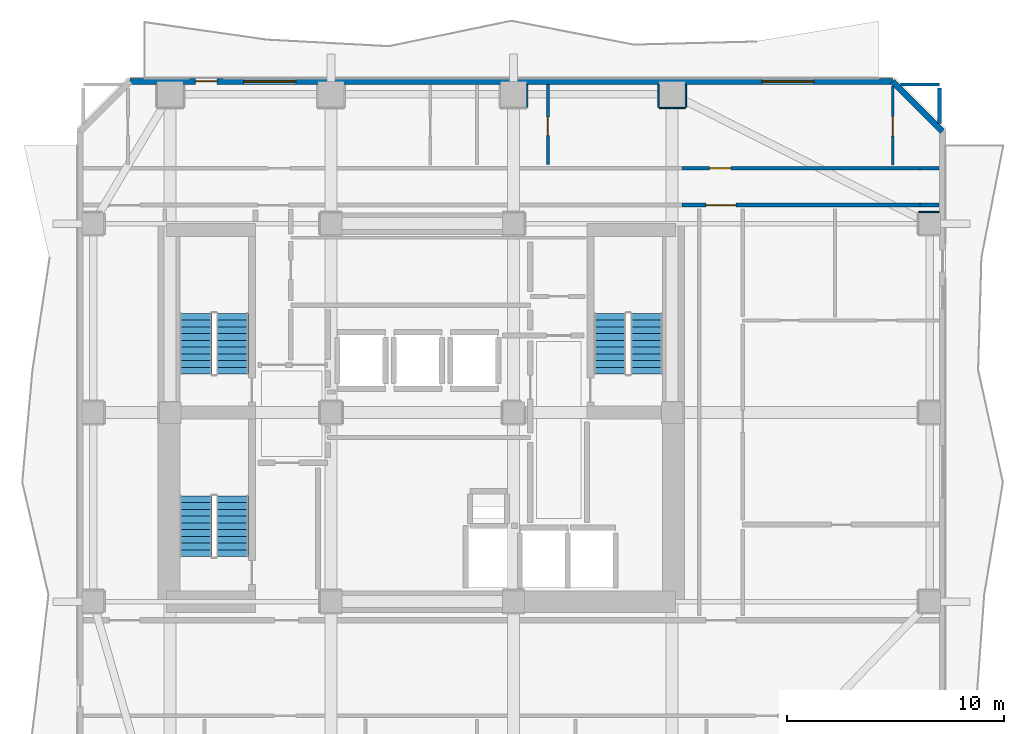
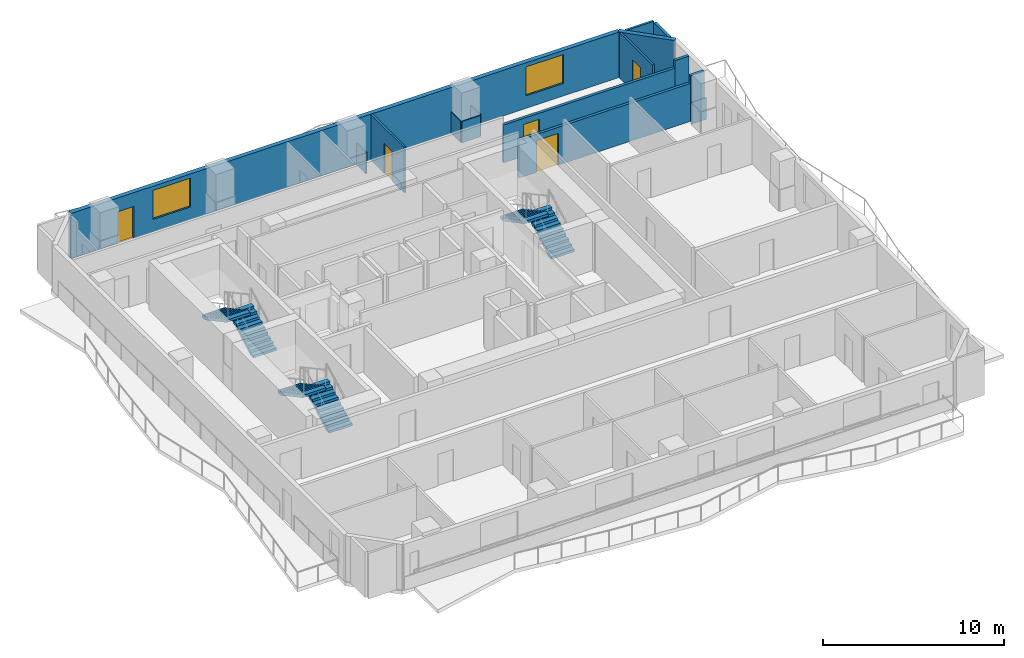
# One storey, part 6 of 9: 15 walls, 6 stair flights, 5 doors, 2 windows, 7 openings, 3 elements without a shape of their own.
"""IFC4 building model written with IfcOpenShell, lengths in metres."""

from ifc_helpers import new_model, si_unit, direction, frame, frame_2d, origin, place, context, subcontext, project, spatial, polyline, rectangle, outline, extrude, material, layer, layer_set, type_object, element, fill, aggregate, save


model = new_model("IFC4")

# Units and contexts
model_context = context("Model", 3, precision=1e-05, world=origin(), true_north=direction((0.0, 1.0)))
body_context = subcontext(model_context, "Body", "Model", "MODEL_VIEW")
ifc_project = project(units=[si_unit("LENGTHUNIT", "METRE"), si_unit("AREAUNIT", "SQUARE_METRE"), si_unit("VOLUMEUNIT", "CUBIC_METRE"), si_unit("PLANEANGLEUNIT", "RADIAN"), si_unit("MASSUNIT", "GRAM", prefix="KILO")], contexts=[model_context])

# Site, building, storey
site_placement = place(None, origin())
site = spatial("IfcSite", under=ifc_project, at=site_placement, CompositionType="ELEMENT")
building_placement = place(site_placement, origin())
building = spatial("IfcBuilding", under=site, at=building_placement, Name="Solanera Arch Residences", CompositionType="ELEMENT")
storey_placement = place(building_placement, frame((0.0, 0.0, 135.9599609375)))
storey = spatial("IfcBuildingStorey", under=building, at=storey_placement, Name="L39", CompositionType="ELEMENT", Elevation=135.9599609375)

# Walls
ifc_material_1 = material(Name="Fire-Rated Gypsum Stud Partition", Category="gypsum")
ifc_layer_1 = layer(ifc_material_1, 0.06005859375)
ifc_layer_set_1 = layer_set([ifc_layer_1], Name="Fire-Rated Gypsum Stud Partition")
wall_type_1 = type_object("IfcWallType", Name="Column Acoustic Furring Wall 60", PredefinedType="PARTITIONING", material=ifc_layer_set_1)
wall_1_placement = place(storey_placement, frame((29.83203125, 44.75, 0.0), z_axis=(0.0, 0.0, 1.0), x_axis=(0.0, 1.0, 0.0)))
element("IfcWall", 1, at=wall_1_placement, inside=storey, type_object=wall_type_1, Name="L39 Column Furring 14E", PredefinedType="PARTITIONING", context=body_context, shape_type="SweptSolid", body=[
    extrude(rectangle(XDim=1.0400390625, YDim=0.06005859375, at=frame_2d((0.52001953125, 0.0))), origin(), (0.0, 0.0, 1.0), 1.449951171875),
])
wall_2_placement = place(storey_placement, frame((35.89990234375, 44.718017578125, 0.0), z_axis=(0.0, 0.0, 1.0), x_axis=(1.0, 0.0, 0.0)))
element("IfcWall", 2, at=wall_2_placement, inside=storey, type_object=wall_type_1, Name="L39 Column Furring 16S", PredefinedType="PARTITIONING", context=body_context, shape_type="SweptSolid", body=[
    extrude(rectangle(XDim=1.2001953125, YDim=0.06005859375, at=frame_2d((0.60009765625, 0.0))), origin(), (0.0, 0.0, 1.0), 1.449951171875),
])
for number, where, z_axis, x_axis, name in (
    (3, (35.867919921875, 44.75, 0.0), (0.0, 0.0, 1.0), (0.0, 1.0, 0.0), "L39 Column Furring 16W"),
    (4, (37.132080078125, 44.75, 0.0), (0.0, 0.0, 1.0), (0.0, 1.0, 0.0), "L39 Column Furring 16E"),
):
    element("IfcWall", number, at=place(storey_placement, frame(where, z_axis=z_axis, x_axis=x_axis)), inside=storey, type_object=wall_type_1, Name=name, PredefinedType="PARTITIONING", context=body_context, shape_type="SweptSolid", body=[
        extrude(rectangle(XDim=1.0400390625, YDim=0.06005859375, at=frame_2d((0.52001953125, 0.0))), origin(), (0.0, 0.0, 1.0), 1.449951171875),
    ])
wall_3_placement = place(storey_placement, frame((47.85009765625, 39.931884765625, 0.0), z_axis=(0.0, 0.0, 1.0), x_axis=(1.0, 0.0, 0.0)))
element("IfcWall", 5, at=wall_3_placement, inside=storey, type_object=wall_type_1, Name="L39 Column Furring 22N", PredefinedType="PARTITIONING", context=body_context, shape_type="SweptSolid", body=[
    extrude(rectangle(XDim=0.93994140625, YDim=0.06005859375, at=frame_2d((0.469970703125, 0.0))), origin(), (0.0, 0.0, 1.0), 1.449951171875),
])

# Wall, opening, door
ifc_material_2 = material(Name="Autoclaved Aerated Concrete Blockwork", Category="masonry")
ifc_layer_2 = layer(ifc_material_2, 0.179931640625)
ifc_layer_set_2 = layer_set([ifc_layer_2], Name="Autoclaved Aerated Concrete Blockwork")
wall_type_2 = type_object("IfcWallType", Name="Corridor Fire Partition 180", PredefinedType="PARTITIONING", material=ifc_layer_set_2)
wall_4_placement = place(storey_placement, frame((36.943115234375, 40.25, 0.0), z_axis=(0.0, 0.0, 1.0), x_axis=(1.0, 0.0, 0.0)))
wall_4 = element("IfcWall", 6, at=wall_4_placement, inside=storey, type_object=wall_type_2, Name="L39 Interior Partition H12 2", PredefinedType="PARTITIONING", context=body_context, shape_type="SweptSolid", body=[
    extrude(rectangle(XDim=10.9638671875, YDim=0.179931640625, at=frame_2d((5.48193359375, 0.0))), origin(), (0.0, 0.0, 1.0), 2.56494140625),
])
opening_1_placement = place(wall_4_placement, frame((1.10693359375, 0.0, 0.0)))
opening_1 = element("IfcOpeningElement", 7, at=opening_1_placement, cuts=wall_4, Name="Opening DF-03", PredefinedType="OPENING", context=body_context, shape_type="SweptSolid", body=[
    extrude(rectangle(XDim=1.39990234375, YDim=2.14990234375, at=frame_2d((0.699951171875, 1.074951171875))), frame((0.0, 0.10009765625, 0.0), z_axis=(0.0, -1.0, 0.0), x_axis=(1.0, 0.0, 0.0)), (0.0, 0.0, 1.0), 0.1999),
])
ifc_material_3 = material(Name="Fire-Rated Architectural Hardwood", Category="wood")
door_type_1 = type_object("IfcDoorType", Name="Corridor Smoke Door DF-03", OperationType="NOTDEFINED", PredefinedType="DOOR", material=ifc_material_3)
door_1_placement = place(opening_1_placement, origin())
door_1 = element("IfcDoor", 8, at=door_1_placement, inside=storey, type_object=door_type_1, Name="DR-L39-IN-013", OperationType="SINGLE_SWING_RIGHT", OverallHeight=2.14990234375, OverallWidth=1.39990234375, PredefinedType="DOOR", context=body_context, shape_type="SweptSolid", body=[
    extrude(rectangle(XDim=1.39990234375, YDim=2.14990234375, at=frame_2d((0.699951171875, 1.074951171875))), frame((0.0, 0.02490234375, 0.0), z_axis=(0.0, -1.0, 0.0), x_axis=(1.0, 0.0, 0.0)), (0.0, 0.0, 1.0), 0.050048828125),
])
fill(opening_1, door_1)

# Wall
wall_5_placement = place(storey_placement, frame((47.906982421875, 40.25, 0.0), z_axis=(0.0, 0.0, 1.0), x_axis=(1.0, 0.0, 0.0)))
element("IfcWall", 9, at=wall_5_placement, inside=storey, type_object=wall_type_2, Name="L39 Interior Partition H12 3", PredefinedType="PARTITIONING", context=body_context, shape_type="SweptSolid", body=[
    extrude(rectangle(XDim=0.885986328125, YDim=0.179931640625, at=frame_2d((0.44287109375, 0.0))), origin(), (0.0, 0.0, 1.0), 3.080078125),
])

# Wall, opening, door
wall_6_placement = place(storey_placement, frame((36.943115234375, 41.949951171875, 0.0), z_axis=(0.0, 0.0, 1.0), x_axis=(1.0, 0.0, 0.0)))
wall_6 = element("IfcWall", 10, at=wall_6_placement, inside=storey, type_object=wall_type_2, Name="L39 Interior Partition H13 2", PredefinedType="PARTITIONING", context=body_context, shape_type="SweptSolid", body=[
    extrude(rectangle(XDim=10.9638671875, YDim=0.179931640625, at=frame_2d((5.48193359375, 0.0))), origin(), (0.0, 0.0, 1.0), 2.56494140625),
])
opening_2_placement = place(wall_6_placement, frame((1.27197265625, 0.0, 0.0)))
opening_2 = element("IfcOpeningElement", 11, at=opening_2_placement, cuts=wall_6, Name="Opening DI-01", PredefinedType="OPENING", context=body_context, shape_type="SweptSolid", body=[
    extrude(rectangle(XDim=1.0, YDim=2.14990234375, at=frame_2d((0.5, 1.074951171875))), frame((0.0, 0.10009765625, 0.0), z_axis=(0.0, -1.0, 0.0), x_axis=(1.0, 0.0, 0.0)), (0.0, 0.0, 1.0), 0.1999),
])
ifc_material_4 = material(Name="Fire-Rated Architectural Hardwood", Category="wood")
door_type_2 = type_object("IfcDoorType", Name="Unit Entrance Fire Door DI-01", OperationType="NOTDEFINED", PredefinedType="DOOR", material=ifc_material_4)
door_2_placement = place(opening_2_placement, origin())
door_2 = element("IfcDoor", 12, at=door_2_placement, inside=storey, type_object=door_type_2, Name="DR-L39-IN-032", OperationType="SINGLE_SWING_LEFT", OverallHeight=2.14990234375, OverallWidth=1.0, PredefinedType="DOOR", context=body_context, shape_type="SweptSolid", body=[
    extrude(rectangle(XDim=1.0, YDim=2.14990234375, at=frame_2d((0.5, 1.074951171875))), frame((0.0, 0.02490234375, 0.0), z_axis=(0.0, -1.0, 0.0), x_axis=(1.0, 0.0, 0.0)), (0.0, 0.0, 1.0), 0.050048828125),
])
fill(opening_2, door_2)

# Walls
wall_7_placement = place(storey_placement, frame((47.906982421875, 41.949951171875, 0.0), z_axis=(0.0, 0.0, 1.0), x_axis=(1.0, 0.0, 0.0)))
element("IfcWall", 13, at=wall_7_placement, inside=storey, type_object=wall_type_2, Name="L39 Interior Partition H13 3", PredefinedType="PARTITIONING", context=body_context, shape_type="SweptSolid", body=[
    extrude(rectangle(XDim=0.885986328125, YDim=0.179931640625, at=frame_2d((0.44287109375, 0.0))), origin(), (0.0, 0.0, 1.0), 3.080078125),
])
wall_8_placement = place(storey_placement, frame((48.800048828125, 44.0048828125, 0.0), z_axis=(0.0, 0.0, 1.0), x_axis=(0.0, 1.0, 0.0)))
element("IfcWall", 14, at=wall_8_placement, inside=storey, type_object=wall_type_2, Name="L39 Interior Partition V12 2", PredefinedType="PARTITIONING", context=body_context, shape_type="SweptSolid", body=[
    extrude(rectangle(XDim=1.627197265625, YDim=0.179931640625, at=frame_2d((0.8134765625, 0.0))), origin(), (0.0, 0.0, 1.0), 3.080078125),
])

# Wall, openings, door, windows
ifc_material_5 = material(Name="Precast Concrete C35/45", Category="concrete")
ifc_layer_3 = layer(ifc_material_5, 0.280029296875)
ifc_layer_set_3 = layer_set([ifc_layer_3], Name="Precast Concrete C35/45")
wall_type_3 = type_object("IfcWallType", Name="Exterior Wall Precast Masonry-Frame 280", PredefinedType="STANDARD", material=ifc_layer_set_3)
wall_9_placement = place(storey_placement, frame((11.554931640625, 45.945068359375, 0.0), z_axis=(0.0, 0.0, 1.0), x_axis=(1.0, 0.0, 0.0)))
wall_9 = element("IfcWall", 15, at=wall_9_placement, inside=storey, type_object=wall_type_3, Name="L39 Tower Exterior Precast Masonry-Frame Wall N", PredefinedType="STANDARD", context=body_context, shape_type="SweptSolid", body=[
    extrude(rectangle(XDim=35.090087890625, YDim=0.280029296875, at=frame_2d((17.544921875, 0.0))), origin(), (0.0, 0.0, 1.0), 3.080078125),
])
opening_3_placement = place(wall_9_placement, frame((3.009033203125, 0.0, 0.0)))
opening_3 = element("IfcOpeningElement", 16, at=opening_3_placement, cuts=wall_9, Name="Opening DB-01", PredefinedType="OPENING", context=body_context, shape_type="SweptSolid", body=[
    extrude(rectangle(XDim=1.0, YDim=2.14990234375, at=frame_2d((0.5, 1.074951171875))), frame((0.0, 0.14990234375, 0.0), z_axis=(0.0, -1.0, 0.0), x_axis=(1.0, 0.0, 0.0)), (0.0, 0.0, 1.0), 0.3),
])
opening_4_placement = place(wall_9_placement, frame((5.22705078125, 0.0, 0.85009765625)))
opening_4 = element("IfcOpeningElement", 17, at=opening_4_placement, cuts=wall_9, Name="Opening W-05", PredefinedType="OPENING", context=body_context, shape_type="SweptSolid", body=[
    extrude(rectangle(XDim=2.39990234375, YDim=1.949951171875, at=frame_2d((1.199951171875, 0.97509765625))), frame((0.0, 0.14990234375, 0.0), z_axis=(0.0, -1.0, 0.0), x_axis=(1.0, 0.0, 0.0)), (0.0, 0.0, 1.0), 0.3),
])
opening_5_placement = place(wall_9_placement, frame((29.072998046875, 0.0, 0.85009765625)))
opening_5 = element("IfcOpeningElement", 18, at=opening_5_placement, cuts=wall_9, Name="Opening W-05", PredefinedType="OPENING", context=body_context, shape_type="SweptSolid", body=[
    extrude(rectangle(XDim=2.39990234375, YDim=1.949951171875, at=frame_2d((1.199951171875, 0.97509765625))), frame((0.0, 0.14990234375, 0.0), z_axis=(0.0, -1.0, 0.0), x_axis=(1.0, 0.0, 0.0)), (0.0, 0.0, 1.0), 0.3),
])
ifc_material_6 = material(Name="Anodised Aluminium Alloy 6063-T6", Category="aluminium")
door_type_3 = type_object("IfcDoorType", Name="Glazed Balcony Swing Door DB-01", OperationType="NOTDEFINED", PredefinedType="DOOR", material=ifc_material_6)
door_3_placement = place(opening_3_placement, origin())
door_3 = element("IfcDoor", 19, at=door_3_placement, inside=storey, type_object=door_type_3, Name="DR-L39-OUT-02", OperationType="SINGLE_SWING_RIGHT", OverallHeight=2.14990234375, OverallWidth=1.0, PredefinedType="DOOR", context=body_context, shape_type="SweptSolid", body=[
    extrude(rectangle(XDim=1.0, YDim=2.14990234375, at=frame_2d((0.5, 1.074951171875))), frame((0.0, 0.02490234375, 0.0), z_axis=(0.0, -1.0, 0.0), x_axis=(1.0, 0.0, 0.0)), (0.0, 0.0, 1.0), 0.050048828125),
])
fill(opening_3, door_3)
ifc_material_7 = material(Name="Double Glazed Low-E Laminated Glass", Category="glass")
window_type = type_object("IfcWindowType", Name="Punched Window W-05", PartitioningType="TRIPLE_PANEL_VERTICAL", PredefinedType="WINDOW", material=ifc_material_7)
window_1_placement = place(opening_4_placement, origin())
window_1 = element("IfcWindow", 20, at=window_1_placement, inside=storey, type_object=window_type, Name="L39 3903-LIV Punched Window", OverallHeight=1.949951171875, OverallWidth=2.39990234375, PartitioningType="SINGLE_PANEL", PredefinedType="WINDOW", context=body_context, shape_type="SweptSolid", body=[
    extrude(rectangle(XDim=2.39990234375, YDim=1.949951171875, at=frame_2d((1.199951171875, 0.97509765625))), frame((0.0, 0.030029296875, 0.0), z_axis=(0.0, -1.0, 0.0), x_axis=(1.0, 0.0, 0.0)), (0.0, 0.0, 1.0), 0.06005859375),
])
fill(opening_4, window_1)
window_2_placement = place(opening_5_placement, origin())
window_2 = element("IfcWindow", 21, at=window_2_placement, inside=storey, type_object=window_type, Name="L39 3904-LIV Punched Window", OverallHeight=1.949951171875, OverallWidth=2.39990234375, PartitioningType="SINGLE_PANEL", PredefinedType="WINDOW", context=body_context, shape_type="SweptSolid", body=[
    extrude(rectangle(XDim=2.39990234375, YDim=1.949951171875, at=frame_2d((1.199951171875, 0.97509765625))), frame((0.0, 0.030029296875, 0.0), z_axis=(0.0, -1.0, 0.0), x_axis=(1.0, 0.0, 0.0)), (0.0, 0.0, 1.0), 0.06005859375),
])
fill(opening_5, window_2)

# Wall
wall_10_placement = place(storey_placement, frame((46.64501953125, 45.945068359375, 0.0), z_axis=(0.0, 0.0, 1.0), x_axis=(0.707106781187, -0.707106781187, 0.0)))
element("IfcWall", 22, at=wall_10_placement, inside=storey, type_object=wall_type_3, Name="L39 Tower Exterior Precast Masonry-Frame Wall CH3", PredefinedType="STANDARD", context=body_context, shape_type="SweptSolid", body=[
    extrude(rectangle(XDim=3.252685546875, YDim=0.280029296875, at=frame_2d((1.62646484375, 0.0))), origin(), (0.0, 0.0, 1.0), 3.080078125),
])

# Wall, opening, door
ifc_material_8 = material(Name="Fire-Rated Gypsum Stud Partition", Category="gypsum")
ifc_layer_4 = layer(ifc_material_8, 0.1201171875)
ifc_layer_set_4 = layer_set([ifc_layer_4], Name="Fire-Rated Gypsum Stud Partition")
wall_type_4 = type_object("IfcWallType", Name="Unit Drywall Partition 120", PredefinedType="PARTITIONING", material=ifc_layer_set_4)
wall_11_placement = place(storey_placement, frame((46.64990234375, 42.10791015625, 0.0), z_axis=(0.0, 0.0, 1.0), x_axis=(0.0, 1.0, 0.0)))
wall_11 = element("IfcWall", 23, at=wall_11_placement, inside=storey, type_object=wall_type_4, Name="L39 Interior Partition V24", PredefinedType="PARTITIONING", context=body_context, shape_type="SweptSolid", body=[
    extrude(rectangle(XDim=3.6171875, YDim=0.1201171875, at=frame_2d((1.80859375, 0.0))), origin(), (0.0, 0.0, 1.0), 3.080078125),
])
opening_6_placement = place(wall_11_placement, frame((1.31689453125, 0.0, 0.0)))
opening_6 = element("IfcOpeningElement", 24, at=opening_6_placement, cuts=wall_11, Name="Opening DI-02", PredefinedType="OPENING", context=body_context, shape_type="SweptSolid", body=[
    extrude(rectangle(XDim=0.89990234375, YDim=2.10009765625, at=frame_2d((0.449951171875, 1.050048828125))), frame((0.0, 0.070068359375, 0.0), z_axis=(0.0, -1.0, 0.0), x_axis=(1.0, 0.0, 0.0)), (0.0, 0.0, 1.0), 0.1401),
])
ifc_material_9 = material(Name="Fire-Rated Architectural Hardwood", Category="wood")
door_type_4 = type_object("IfcDoorType", Name="Suite Room Swing Door DI-02", OperationType="NOTDEFINED", PredefinedType="DOOR", material=ifc_material_9)
door_4_placement = place(opening_6_placement, origin())
door_4 = element("IfcDoor", 25, at=door_4_placement, inside=storey, type_object=door_type_4, Name="DR-L39-IN-034", OperationType="SINGLE_SWING_LEFT", OverallHeight=2.10009765625, OverallWidth=0.89990234375, PredefinedType="DOOR", context=body_context, shape_type="SweptSolid", body=[
    extrude(rectangle(XDim=0.89990234375, YDim=2.10009765625, at=frame_2d((0.449951171875, 1.050048828125))), frame((0.0, 0.02490234375, 0.0), z_axis=(0.0, -1.0, 0.0), x_axis=(1.0, 0.0, 0.0)), (0.0, 0.0, 1.0), 0.050048828125),
])
fill(opening_6, door_4)

# Wall
ifc_material_10 = material(Name="Autoclaved Aerated Concrete Blockwork", Category="masonry")
ifc_layer_5 = layer(ifc_material_10, 0.139892578125)
ifc_layer_set_5 = layer_set([ifc_layer_5], Name="Autoclaved Aerated Concrete Blockwork")
wall_type_5 = type_object("IfcWallType", Name="Wet-Room Partition 140", PredefinedType="PARTITIONING", material=ifc_layer_set_5)
wall_12_placement = place(storey_placement, frame((47.0048828125, 45.800048828125, 0.0), z_axis=(0.0, 0.0, 1.0), x_axis=(1.0, 0.0, 0.0)))
element("IfcWall", 26, at=wall_12_placement, inside=storey, type_object=wall_type_5, Name="L39 Interior Partition H18 2", PredefinedType="PARTITIONING", context=body_context, shape_type="SweptSolid", body=[
    extrude(rectangle(XDim=1.795166015625, YDim=0.139892578125, at=frame_2d((0.8974609375, 0.0))), origin(), (0.0, 0.0, 1.0), 3.080078125),
])

# Wall, opening, door
wall_13_placement = place(storey_placement, frame((30.780029296875, 42.117919921875, 0.0), z_axis=(0.0, 0.0, 1.0), x_axis=(0.0, 1.0, 0.0)))
wall_13 = element("IfcWall", 27, at=wall_13_placement, inside=storey, type_object=wall_type_5, Name="L39 Interior Partition V17", PredefinedType="PARTITIONING", context=body_context, shape_type="SweptSolid", body=[
    extrude(rectangle(XDim=3.675048828125, YDim=0.139892578125, at=frame_2d((1.83740234375, 0.0))), origin(), (0.0, 0.0, 1.0), 3.080078125),
])
opening_7_placement = place(wall_13_placement, frame((1.326904296875, 0.0, 0.0)))
opening_7 = element("IfcOpeningElement", 28, at=opening_7_placement, cuts=wall_13, Name="Opening DI-05", PredefinedType="OPENING", context=body_context, shape_type="SweptSolid", body=[
    extrude(rectangle(XDim=0.860107421875, YDim=2.02001953125, at=frame_2d((0.43017578125, 1.010009765625))), frame((0.0, 0.079833984375, 0.0), z_axis=(0.0, -1.0, 0.0), x_axis=(1.0, 0.0, 0.0)), (0.0, 0.0, 1.0), 0.1599),
])
ifc_material_11 = material(Name="Fire-Rated Architectural Hardwood", Category="wood")
door_type_5 = type_object("IfcDoorType", Name="Bathroom Swing Door DI-05", OperationType="NOTDEFINED", PredefinedType="DOOR", material=ifc_material_11)
door_5_placement = place(opening_7_placement, origin())
door_5 = element("IfcDoor", 29, at=door_5_placement, inside=storey, type_object=door_type_5, Name="DR-L39-IN-033", OperationType="SINGLE_SWING_RIGHT", OverallHeight=2.02001953125, OverallWidth=0.860107421875, PredefinedType="DOOR", context=body_context, shape_type="SweptSolid", body=[
    extrude(rectangle(XDim=0.860107421875, YDim=2.02001953125, at=frame_2d((0.43017578125, 1.010009765625))), frame((0.0, 0.02490234375, 0.0), z_axis=(0.0, -1.0, 0.0), x_axis=(1.0, 0.0, 0.0)), (0.0, 0.0, 1.0), 0.050048828125),
])
fill(opening_7, door_5)

# Stair, stair flights
ifc_material_12 = material(Name="Concrete C40/50 (f'c = 45 MPa)", Category="concrete")
stair_type = type_object("IfcStairType", Name="Tower Dogleg Exit Stair 1480", PredefinedType="HALF_TURN_STAIR", material=ifc_material_12)
stair_1_placement = place(storey_placement, origin())
stair_1 = element("IfcStair", 30, at=stair_1_placement, inside=storey, type_object=stair_type, Name="L39 Tower Core Exit Stair 1", PredefinedType="HALF_TURN_STAIR")
ifc_material_13 = material(Name="Concrete C40/50 (f'c = 45 MPa)", Category="concrete")
stair_flight_type = type_object("IfcStairFlightType", Name="Tower Precast Stair Flight 1480", PredefinedType="STRAIGHT", material=ifc_material_13)
stair_flight_1_placement = place(storey_placement, frame((16.260009765625, 32.47998046875, 0.0), z_axis=(0.0, 0.0, 1.0), x_axis=(0.0, 1.0, 0.0)))
stair_flight_1 = element("IfcStairFlight", 31, at=stair_flight_1_placement, type_object=stair_flight_type, Name="ST-T1 flight 1", NumberOfRisers=10, NumberOfTreads=9, PredefinedType="STRAIGHT", RiserHeight=0.166, TreadLength=0.31, context=body_context, shape_type="SweptSolid", body=[
    extrude(outline(polyline([(0.0, 0.0), (0.0, 0.166015625), (0.31005859375, 0.166015625), (0.31005859375, 0.33203125), (0.6201171875, 0.33203125), (0.6201171875, 0.498046875), (0.929931640625, 0.498046875), (0.929931640625, 0.6640625), (1.239990234375, 0.6640625), (1.239990234375, 0.830078125), (1.550048828125, 0.830078125), (1.550048828125, 0.99609375), (1.860107421875, 0.99609375), (1.860107421875, 1.162109375), (2.169921875, 1.162109375), (2.169921875, 1.327880859375), (2.47998046875, 1.327880859375), (2.47998046875, 1.493896484375), (2.7900390625, 1.493896484375), (2.7900390625, 1.659912109375), (2.7900390625, 1.323974609375), (0.317626953125, 0.0), (0.0, 0.0)])), frame((0.0, 0.739990234375, 0.0), z_axis=(0.0, -1.0, 0.0), x_axis=(1.0, 0.0, 0.0)), (0.0, 0.0, 1.0), 1.47998046875),
])
stair_flight_2_placement = place(storey_placement, frame((14.580078125, 35.27001953125, 1.66015625), z_axis=(0.0, 0.0, 1.0), x_axis=(0.0, -1.0, 0.0)))
stair_flight_2 = element("IfcStairFlight", 32, at=stair_flight_2_placement, type_object=stair_flight_type, Name="ST-T1 flight 2", NumberOfRisers=10, NumberOfTreads=9, PredefinedType="STRAIGHT", RiserHeight=0.166, TreadLength=0.31, context=body_context, shape_type="SweptSolid", body=[
    extrude(outline(polyline([(0.0, 0.0), (0.0, 0.166015625), (0.31005859375, 0.166015625), (0.31005859375, 0.33203125), (0.6201171875, 0.33203125), (0.6201171875, 0.498046875), (0.929931640625, 0.498046875), (0.929931640625, 0.6640625), (1.239990234375, 0.6640625), (1.239990234375, 0.830078125), (1.550048828125, 0.830078125), (1.550048828125, 0.99609375), (1.860107421875, 0.99609375), (1.860107421875, 1.162109375), (2.169921875, 1.162109375), (2.169921875, 1.327880859375), (2.47998046875, 1.327880859375), (2.47998046875, 1.493896484375), (2.7900390625, 1.493896484375), (2.7900390625, 1.659912109375), (2.7900390625, 1.323974609375), (0.317626953125, 0.0), (0.0, 0.0)])), frame((0.0, 0.739990234375, 0.0), z_axis=(0.0, -1.0, 0.0), x_axis=(1.0, 0.0, 0.0)), (0.0, 0.0, 1.0), 1.47998046875),
])
aggregate(stair_1, [stair_flight_1, stair_flight_2])

stair_2_placement = place(storey_placement, origin())
stair_2 = element("IfcStair", 33, at=stair_2_placement, inside=storey, type_object=stair_type, Name="L39 Tower Core Exit Stair 2", PredefinedType="HALF_TURN_STAIR")
stair_flight_3_placement = place(storey_placement, frame((35.320068359375, 32.47998046875, 0.0), z_axis=(0.0, 0.0, 1.0), x_axis=(0.0, 1.0, 0.0)))
stair_flight_3 = element("IfcStairFlight", 34, at=stair_flight_3_placement, type_object=stair_flight_type, Name="ST-T2 flight 1", NumberOfRisers=10, NumberOfTreads=9, PredefinedType="STRAIGHT", RiserHeight=0.166, TreadLength=0.31, context=body_context, shape_type="SweptSolid", body=[
    extrude(outline(polyline([(0.0, 0.0), (0.0, 0.166015625), (0.31005859375, 0.166015625), (0.31005859375, 0.33203125), (0.6201171875, 0.33203125), (0.6201171875, 0.498046875), (0.929931640625, 0.498046875), (0.929931640625, 0.6640625), (1.239990234375, 0.6640625), (1.239990234375, 0.830078125), (1.550048828125, 0.830078125), (1.550048828125, 0.99609375), (1.860107421875, 0.99609375), (1.860107421875, 1.162109375), (2.169921875, 1.162109375), (2.169921875, 1.327880859375), (2.47998046875, 1.327880859375), (2.47998046875, 1.493896484375), (2.7900390625, 1.493896484375), (2.7900390625, 1.659912109375), (2.7900390625, 1.323974609375), (0.317626953125, 0.0), (0.0, 0.0)])), frame((0.0, 0.739990234375, 0.0), z_axis=(0.0, -1.0, 0.0), x_axis=(1.0, 0.0, 0.0)), (0.0, 0.0, 1.0), 1.47998046875),
])
stair_flight_4_placement = place(storey_placement, frame((33.639892578125, 35.27001953125, 1.66015625), z_axis=(0.0, 0.0, 1.0), x_axis=(0.0, -1.0, 0.0)))
stair_flight_4 = element("IfcStairFlight", 35, at=stair_flight_4_placement, type_object=stair_flight_type, Name="ST-T2 flight 2", NumberOfRisers=10, NumberOfTreads=9, PredefinedType="STRAIGHT", RiserHeight=0.166, TreadLength=0.31, context=body_context, shape_type="SweptSolid", body=[
    extrude(outline(polyline([(0.0, 0.0), (0.0, 0.166015625), (0.31005859375, 0.166015625), (0.31005859375, 0.33203125), (0.6201171875, 0.33203125), (0.6201171875, 0.498046875), (0.929931640625, 0.498046875), (0.929931640625, 0.6640625), (1.239990234375, 0.6640625), (1.239990234375, 0.830078125), (1.550048828125, 0.830078125), (1.550048828125, 0.99609375), (1.860107421875, 0.99609375), (1.860107421875, 1.162109375), (2.169921875, 1.162109375), (2.169921875, 1.327880859375), (2.47998046875, 1.327880859375), (2.47998046875, 1.493896484375), (2.7900390625, 1.493896484375), (2.7900390625, 1.659912109375), (2.7900390625, 1.323974609375), (0.317626953125, 0.0), (0.0, 0.0)])), frame((0.0, 0.739990234375, 0.0), z_axis=(0.0, -1.0, 0.0), x_axis=(1.0, 0.0, 0.0)), (0.0, 0.0, 1.0), 1.47998046875),
])
aggregate(stair_2, [stair_flight_3, stair_flight_4])

stair_3_placement = place(storey_placement, origin())
stair_3 = element("IfcStair", 36, at=stair_3_placement, inside=storey, type_object=stair_type, Name="L39 Tower Core Exit Stair 3", PredefinedType="HALF_TURN_STAIR")
stair_flight_5_placement = place(storey_placement, frame((16.260009765625, 24.080078125, 0.0), z_axis=(0.0, 0.0, 1.0), x_axis=(0.0, 1.0, 0.0)))
stair_flight_5 = element("IfcStairFlight", 37, at=stair_flight_5_placement, type_object=stair_flight_type, Name="ST-T3 flight 1", NumberOfRisers=10, NumberOfTreads=9, PredefinedType="STRAIGHT", RiserHeight=0.166, TreadLength=0.31, context=body_context, shape_type="SweptSolid", body=[
    extrude(outline(polyline([(0.0, 0.0), (0.0, 0.166015625), (0.31005859375, 0.166015625), (0.31005859375, 0.33203125), (0.6201171875, 0.33203125), (0.6201171875, 0.498046875), (0.929931640625, 0.498046875), (0.929931640625, 0.6640625), (1.239990234375, 0.6640625), (1.239990234375, 0.830078125), (1.550048828125, 0.830078125), (1.550048828125, 0.99609375), (1.860107421875, 0.99609375), (1.860107421875, 1.162109375), (2.169921875, 1.162109375), (2.169921875, 1.327880859375), (2.47998046875, 1.327880859375), (2.47998046875, 1.493896484375), (2.7900390625, 1.493896484375), (2.7900390625, 1.659912109375), (2.7900390625, 1.323974609375), (0.317626953125, 0.0), (0.0, 0.0)])), frame((0.0, 0.739990234375, 0.0), z_axis=(0.0, -1.0, 0.0), x_axis=(1.0, 0.0, 0.0)), (0.0, 0.0, 1.0), 1.47998046875),
])
stair_flight_6_placement = place(storey_placement, frame((14.580078125, 26.8701171875, 1.66015625), z_axis=(0.0, 0.0, 1.0), x_axis=(0.0, -1.0, 0.0)))
stair_flight_6 = element("IfcStairFlight", 38, at=stair_flight_6_placement, type_object=stair_flight_type, Name="ST-T3 flight 2", NumberOfRisers=10, NumberOfTreads=9, PredefinedType="STRAIGHT", RiserHeight=0.166, TreadLength=0.31, context=body_context, shape_type="SweptSolid", body=[
    extrude(outline(polyline([(0.0, 0.0), (0.0, 0.166015625), (0.31005859375, 0.166015625), (0.31005859375, 0.33203125), (0.6201171875, 0.33203125), (0.6201171875, 0.498046875), (0.929931640625, 0.498046875), (0.929931640625, 0.6640625), (1.239990234375, 0.6640625), (1.239990234375, 0.830078125), (1.550048828125, 0.830078125), (1.550048828125, 0.99609375), (1.860107421875, 0.99609375), (1.860107421875, 1.162109375), (2.169921875, 1.162109375), (2.169921875, 1.327880859375), (2.47998046875, 1.327880859375), (2.47998046875, 1.493896484375), (2.7900390625, 1.493896484375), (2.7900390625, 1.659912109375), (2.7900390625, 1.323974609375), (0.317626953125, 0.0), (0.0, 0.0)])), frame((0.0, 0.739990234375, 0.0), z_axis=(0.0, -1.0, 0.0), x_axis=(1.0, 0.0, 0.0)), (0.0, 0.0, 1.0), 1.47998046875),
])
aggregate(stair_3, [stair_flight_5, stair_flight_6])

save(model, "model.ifc")
